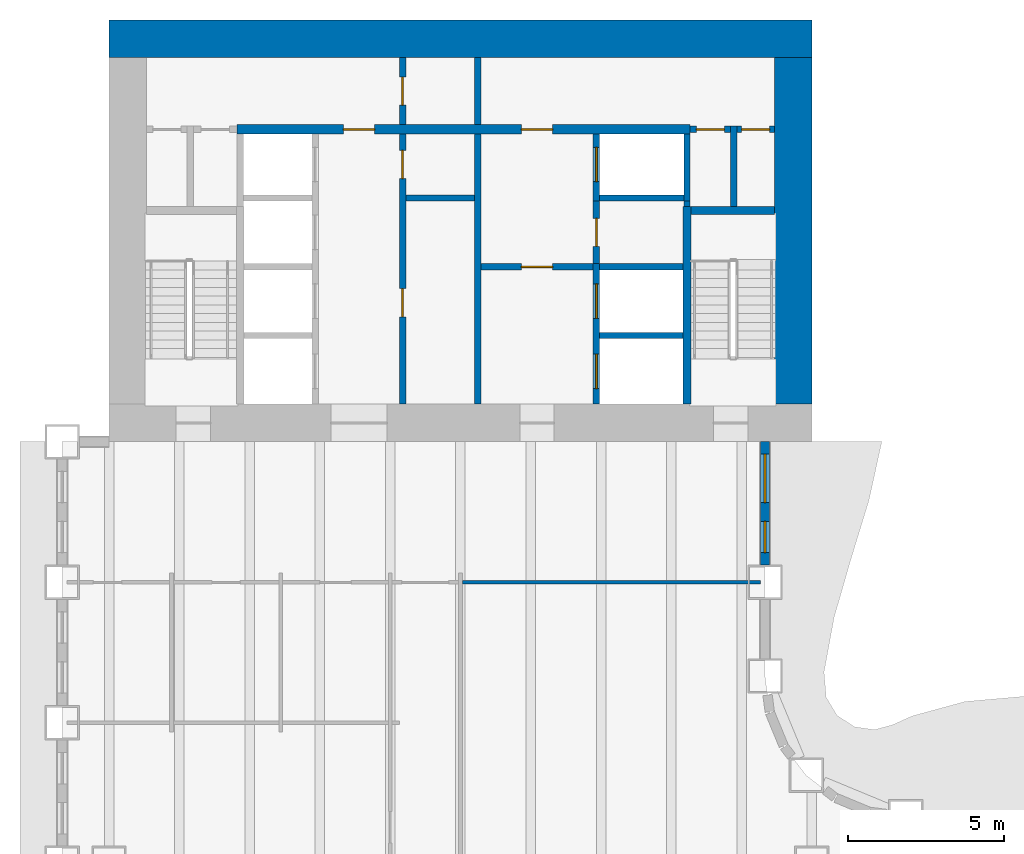
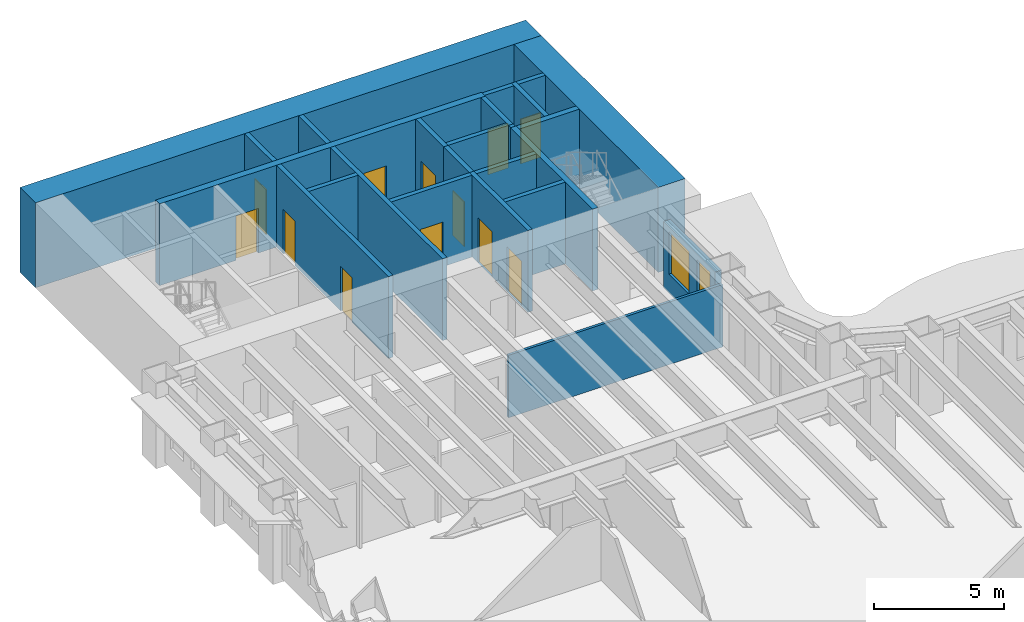
# One storey, part 8 of 16: 24 walls, 12 doors, 2 windows, 14 openings.
"""IFC4 building model written with IfcOpenShell, lengths in metres."""

from ifc_helpers import new_model, si_unit, direction, frame, frame_2d, origin, place, context, subcontext, project, spatial, rectangle, extrude, material, layer, layer_set, type_object, element, fill, save


model = new_model("IFC4")

# Units and contexts
model_context = context("Model", 3, precision=1e-05, world=origin(), true_north=direction((0.0, 1.0)))
body_context = subcontext(model_context, "Body", "Model", "MODEL_VIEW")
ifc_project = project(units=[si_unit("LENGTHUNIT", "METRE"), si_unit("AREAUNIT", "SQUARE_METRE"), si_unit("VOLUMEUNIT", "CUBIC_METRE"), si_unit("PLANEANGLEUNIT", "RADIAN"), si_unit("MASSUNIT", "GRAM", prefix="KILO")], contexts=[model_context])

# Site, building, storey
site_placement = place(None, origin())
site = spatial("IfcSite", under=ifc_project, at=site_placement, CompositionType="ELEMENT")
building_placement = place(site_placement, origin())
building = spatial("IfcBuilding", under=site, at=building_placement, Name="Sennacour Bend Tower", CompositionType="ELEMENT")
storey_placement = place(building_placement, frame((0.0, 0.0, 69.0)))
storey = spatial("IfcBuildingStorey", under=building, at=storey_placement, Name="L15", CompositionType="ELEMENT", Elevation=69.0)

# Walls
ifc_material_1 = material(Name="Concrete C80/95", Category="concrete")
ifc_layer_1 = layer(ifc_material_1, 1.199951171875, Name="Concrete C80/95", Category="concrete")
ifc_layer_set_1 = layer_set([ifc_layer_1], Name="Concrete C80/95")
wall_type_1 = type_object("IfcWallType", Name="Core wall 1200 C80/95", PredefinedType="SHEAR", material=ifc_layer_set_1)
wall_1_placement = place(storey_placement, frame((0.0, 48.89990234375, -0.14990234375), z_axis=(0.0, 0.0, 1.0), x_axis=(1.0, 0.0, 0.0)))
element("IfcWall", 1, at=wall_1_placement, inside=storey, type_object=wall_type_1, Name="Core B wall L15 N", PredefinedType="SHEAR", context=body_context, shape_type="SweptSolid", body=[
    extrude(rectangle(XDim=22.5, YDim=1.199951171875, at=frame_2d((11.25, 0.0))), origin(), (0.0, 0.0, 1.0), 4.0),
])
wall_2_placement = place(storey_placement, frame((21.89990234375, 37.199951171875, -0.14990234375), z_axis=(0.0, 0.0, 1.0), x_axis=(0.0, 1.0, 0.0)))
element("IfcWall", 2, at=wall_2_placement, inside=storey, type_object=wall_type_1, Name="Core B wall L15 E", PredefinedType="SHEAR", context=body_context, shape_type="SweptSolid", body=[
    extrude(rectangle(XDim=11.10009765625, YDim=1.199951171875, at=frame_2d((5.550048828125, 0.0))), origin(), (0.0, 0.0, 1.0), 4.0),
])
ifc_material_2 = material(Name="Plasterboard partition on steel studs", Category="steel")
ifc_layer_2 = layer(ifc_material_2, 0.1201171875, Name="Plasterboard partition on steel studs", Category="steel")
ifc_layer_set_2 = layer_set([ifc_layer_2], Name="Plasterboard partition on steel studs")
wall_type_2 = type_object("IfcWallType", Name="Partition 120", PredefinedType="PARTITIONING", material=ifc_layer_set_2)
wall_3_placement = place(storey_placement, frame((11.31005859375, 31.5, 0.0), z_axis=(0.0, 0.0, 1.0), x_axis=(1.0, 0.0, 0.0)))
element("IfcWall", 3, at=wall_3_placement, inside=storey, type_object=wall_type_2, Name="P-L15-W076ae", PredefinedType="PARTITIONING", context=body_context, shape_type="SweptSolid", body=[
    extrude(rectangle(XDim=9.5400390625, YDim=0.1201171875, at=frame_2d((4.77001953125, 0.0))), origin(), (0.0, 0.0, 1.0), 2.93798828125),
])

# Wall, openings, doors
ifc_material_3 = material(Name="Fire-rated plasterboard partition on steel studs", Category="steel")
ifc_layer_3 = layer(ifc_material_3, 0.199951171875, Name="Fire-rated plasterboard partition on steel studs", Category="steel")
ifc_layer_set_3 = layer_set([ifc_layer_3], Name="Fire-rated plasterboard partition on steel studs")
wall_type_3 = type_object("IfcWallType", Name="Rated partition 200", PredefinedType="PARTITIONING", material=ifc_layer_set_3)
wall_4_placement = place(storey_placement, frame((9.39990234375, 37.199951171875, 0.0), z_axis=(0.0, 0.0, 1.0), x_axis=(0.0, 1.0, 0.0)))
wall_4 = element("IfcWall", 4, at=wall_4_placement, inside=storey, type_object=wall_type_3, Name="P-L15-W012a", PredefinedType="PARTITIONING", context=body_context, shape_type="SweptSolid", body=[
    extrude(rectangle(XDim=8.650146484375, YDim=0.199951171875, at=frame_2d((4.3251953125, 0.0))), origin(), (0.0, 0.0, 1.0), 3.85009765625),
])
opening_1_placement = place(wall_4_placement, frame((2.800048828125, 0.0, 0.0)))
opening_1 = element("IfcOpeningElement", 5, at=opening_1_placement, cuts=wall_4, Name="Opening SV", PredefinedType="OPENING", context=body_context, shape_type="SweptSolid", body=[
    extrude(rectangle(XDim=0.89990234375, YDim=2.10009765625, at=frame_2d((0.449951171875, 1.050048828125))), frame((0.0, 0.10986328125, 0.0), z_axis=(0.0, -1.0, 0.0), x_axis=(1.0, 0.0, 0.0)), (0.0, 0.0, 1.0), 0.219970703125),
])
opening_2_placement = place(wall_4_placement, frame((7.22509765625, 0.0, 0.0)))
opening_2 = element("IfcOpeningElement", 6, at=opening_2_placement, cuts=wall_4, Name="Opening SV", PredefinedType="OPENING", context=body_context, shape_type="SweptSolid", body=[
    extrude(rectangle(XDim=0.89990234375, YDim=2.10009765625, at=frame_2d((0.449951171875, 1.050048828125))), frame((0.0, 0.10986328125, 0.0), z_axis=(0.0, -1.0, 0.0), x_axis=(1.0, 0.0, 0.0)), (0.0, 0.0, 1.0), 0.219970703125),
])
ifc_material_4 = material(Name="Painted steel", Category="steel")
door_type_1 = type_object("IfcDoorType", Name="DR-SERVICE-900", OperationType="NOTDEFINED", PredefinedType="DOOR", material=ifc_material_4)
door_1_placement = place(opening_1_placement, origin())
door_1 = element("IfcDoor", 7, at=door_1_placement, inside=storey, type_object=door_type_1, Name="Door", OperationType="SINGLE_SWING_LEFT", OverallHeight=2.10009765625, OverallWidth=0.89990234375, PredefinedType="DOOR", context=body_context, shape_type="SweptSolid", body=[
    extrude(rectangle(XDim=0.89990234375, YDim=2.10009765625, at=frame_2d((0.449951171875, 1.050048828125))), frame((0.0, 0.02490234375, 0.0), z_axis=(0.0, -1.0, 0.0), x_axis=(1.0, 0.0, 0.0)), (0.0, 0.0, 1.0), 0.050048828125),
])
fill(opening_1, door_1)
door_2_placement = place(opening_2_placement, origin())
door_2 = element("IfcDoor", 8, at=door_2_placement, inside=storey, type_object=door_type_1, Name="Door", OperationType="SINGLE_SWING_RIGHT", OverallHeight=2.10009765625, OverallWidth=0.89990234375, PredefinedType="DOOR", context=body_context, shape_type="SweptSolid", body=[
    extrude(rectangle(XDim=0.89990234375, YDim=2.10009765625, at=frame_2d((0.449951171875, 1.050048828125))), frame((0.0, 0.02490234375, 0.0), z_axis=(0.0, -1.0, 0.0), x_axis=(1.0, 0.0, 0.0)), (0.0, 0.0, 1.0), 0.050048828125),
])
fill(opening_2, door_2)

# Wall, opening, door
wall_5_placement = place(storey_placement, frame((9.39990234375, 46.14990234375, 0.0), z_axis=(0.0, 0.0, 1.0), x_axis=(0.0, 1.0, 0.0)))
wall_5 = element("IfcWall", 9, at=wall_5_placement, inside=storey, type_object=wall_type_3, Name="P-L15-W012b", PredefinedType="PARTITIONING", context=body_context, shape_type="SweptSolid", body=[
    extrude(rectangle(XDim=2.150146484375, YDim=0.199951171875, at=frame_2d((1.0751953125, 0.0))), origin(), (0.0, 0.0, 1.0), 3.85009765625),
])
opening_3_placement = place(wall_5_placement, frame((0.625, 0.0, 0.0)))
opening_3 = element("IfcOpeningElement", 10, at=opening_3_placement, cuts=wall_5, Name="Opening SV", PredefinedType="OPENING", context=body_context, shape_type="SweptSolid", body=[
    extrude(rectangle(XDim=0.89990234375, YDim=2.10009765625, at=frame_2d((0.449951171875, 1.050048828125))), frame((0.0, 0.10986328125, 0.0), z_axis=(0.0, -1.0, 0.0), x_axis=(1.0, 0.0, 0.0)), (0.0, 0.0, 1.0), 0.219970703125),
])
door_3_placement = place(opening_3_placement, origin())
door_3 = element("IfcDoor", 11, at=door_3_placement, inside=storey, type_object=door_type_1, Name="Door", OperationType="SINGLE_SWING_LEFT", OverallHeight=2.10009765625, OverallWidth=0.89990234375, PredefinedType="DOOR", context=body_context, shape_type="SweptSolid", body=[
    extrude(rectangle(XDim=0.89990234375, YDim=2.10009765625, at=frame_2d((0.449951171875, 1.050048828125))), frame((0.0, 0.02490234375, 0.0), z_axis=(0.0, -1.0, 0.0), x_axis=(1.0, 0.0, 0.0)), (0.0, 0.0, 1.0), 0.050048828125),
])
fill(opening_3, door_3)

# Walls
wall_6_placement = place(storey_placement, frame((11.800048828125, 37.199951171875, 0.0), z_axis=(0.0, 0.0, 1.0), x_axis=(0.0, 1.0, 0.0)))
element("IfcWall", 12, at=wall_6_placement, inside=storey, type_object=wall_type_3, Name="P-L15-W015a", PredefinedType="PARTITIONING", context=body_context, shape_type="SweptSolid", body=[
    extrude(rectangle(XDim=8.650146484375, YDim=0.199951171875, at=frame_2d((4.3251953125, 0.0))), origin(), (0.0, 0.0, 1.0), 3.85009765625),
])
wall_7_placement = place(storey_placement, frame((11.800048828125, 46.14990234375, 0.0), z_axis=(0.0, 0.0, 1.0), x_axis=(0.0, 1.0, 0.0)))
element("IfcWall", 13, at=wall_7_placement, inside=storey, type_object=wall_type_3, Name="P-L15-W015b", PredefinedType="PARTITIONING", context=body_context, shape_type="SweptSolid", body=[
    extrude(rectangle(XDim=2.150146484375, YDim=0.199951171875, at=frame_2d((1.0751953125, 0.0))), origin(), (0.0, 0.0, 1.0), 3.85009765625),
])

# Wall, opening, door
wall_8_placement = place(storey_placement, frame((15.60009765625, 41.699951171875, 0.0), z_axis=(0.0, 0.0, 1.0), x_axis=(0.0, 1.0, 0.0)))
wall_8 = element("IfcWall", 14, at=wall_8_placement, inside=storey, type_object=wall_type_3, Name="P-L15-W017", PredefinedType="PARTITIONING", context=body_context, shape_type="SweptSolid", body=[
    extrude(rectangle(XDim=2.0, YDim=0.199951171875, at=frame_2d((1.0, 0.0))), origin(), (0.0, 0.0, 1.0), 3.85009765625),
])
opening_4_placement = place(wall_8_placement, frame((0.550048828125, 0.0, 0.0)))
opening_4 = element("IfcOpeningElement", 15, at=opening_4_placement, cuts=wall_8, Name="Opening SV", PredefinedType="OPENING", context=body_context, shape_type="SweptSolid", body=[
    extrude(rectangle(XDim=0.89990234375, YDim=2.10009765625, at=frame_2d((0.449951171875, 1.050048828125))), frame((0.0, 0.10986328125, 0.0), z_axis=(0.0, -1.0, 0.0), x_axis=(1.0, 0.0, 0.0)), (0.0, 0.0, 1.0), 0.219970703125),
])
door_4_placement = place(opening_4_placement, origin())
door_4 = element("IfcDoor", 16, at=door_4_placement, inside=storey, type_object=door_type_1, Name="Door", OperationType="SINGLE_SWING_RIGHT", OverallHeight=2.10009765625, OverallWidth=0.89990234375, PredefinedType="DOOR", context=body_context, shape_type="SweptSolid", body=[
    extrude(rectangle(XDim=0.89990234375, YDim=2.10009765625, at=frame_2d((0.449951171875, 1.050048828125))), frame((0.0, 0.02490234375, 0.0), z_axis=(0.0, -1.0, 0.0), x_axis=(1.0, 0.0, 0.0)), (0.0, 0.0, 1.0), 0.050048828125),
])
fill(opening_4, door_4)

# Walls
wall_9_placement = place(storey_placement, frame((18.5, 43.52490234375, 0.0), z_axis=(0.0, 0.0, 1.0), x_axis=(0.0, 1.0, 0.0)))
element("IfcWall", 17, at=wall_9_placement, inside=storey, type_object=wall_type_3, Name="P-L15-W021", PredefinedType="PARTITIONING", context=body_context, shape_type="SweptSolid", body=[
    extrude(rectangle(XDim=0.175048828125, YDim=0.199951171875, at=frame_2d((0.08740234375, 0.0))), origin(), (0.0, 0.0, 1.0), 3.85009765625),
])
wall_10_placement = place(storey_placement, frame((20.0, 43.52490234375, 0.0), z_axis=(0.0, 0.0, 1.0), x_axis=(0.0, 1.0, 0.0)))
element("IfcWall", 18, at=wall_10_placement, inside=storey, type_object=wall_type_3, Name="P-L15-W023", PredefinedType="PARTITIONING", context=body_context, shape_type="SweptSolid", body=[
    extrude(rectangle(XDim=2.5751953125, YDim=0.199951171875, at=frame_2d((1.28759765625, 0.0))), origin(), (0.0, 0.0, 1.0), 3.85009765625),
])
wall_11_placement = place(storey_placement, frame((9.5, 43.800048828125, 0.0), z_axis=(0.0, 0.0, 1.0), x_axis=(1.0, 0.0, 0.0)))
element("IfcWall", 19, at=wall_11_placement, inside=storey, type_object=wall_type_3, Name="P-L15-W086", PredefinedType="PARTITIONING", context=body_context, shape_type="SweptSolid", body=[
    extrude(rectangle(XDim=2.199951171875, YDim=0.199951171875, at=frame_2d((1.10009765625, 0.0))), origin(), (0.0, 0.0, 1.0), 3.85009765625),
])

# Wall, opening, door
wall_12_placement = place(storey_placement, frame((18.60009765625, 46.0, 0.0), z_axis=(0.0, 0.0, 1.0), x_axis=(1.0, 0.0, 0.0)))
wall_12 = element("IfcWall", 20, at=wall_12_placement, inside=storey, type_object=wall_type_3, Name="P-L15-W090a", PredefinedType="PARTITIONING", context=body_context, shape_type="SweptSolid", body=[
    extrude(rectangle(XDim=1.2998046875, YDim=0.199951171875, at=frame_2d((0.64990234375, 0.0))), origin(), (0.0, 0.0, 1.0), 3.85009765625),
])
opening_5_placement = place(wall_12_placement, frame((0.199951171875, 0.0, 0.0)))
opening_5 = element("IfcOpeningElement", 21, at=opening_5_placement, cuts=wall_12, Name="Opening SV", PredefinedType="OPENING", context=body_context, shape_type="SweptSolid", body=[
    extrude(rectangle(XDim=0.89990234375, YDim=2.10009765625, at=frame_2d((0.449951171875, 1.050048828125))), frame((0.0, 0.10986328125, 0.0), z_axis=(0.0, -1.0, 0.0), x_axis=(1.0, 0.0, 0.0)), (0.0, 0.0, 1.0), 0.219970703125),
])
door_5_placement = place(opening_5_placement, origin())
door_5 = element("IfcDoor", 22, at=door_5_placement, inside=storey, type_object=door_type_1, Name="Door", OperationType="SINGLE_SWING_LEFT", OverallHeight=2.10009765625, OverallWidth=0.89990234375, PredefinedType="DOOR", context=body_context, shape_type="SweptSolid", body=[
    extrude(rectangle(XDim=0.89990234375, YDim=2.10009765625, at=frame_2d((0.449951171875, 1.050048828125))), frame((0.0, 0.02490234375, 0.0), z_axis=(0.0, -1.0, 0.0), x_axis=(1.0, 0.0, 0.0)), (0.0, 0.0, 1.0), 0.050048828125),
])
fill(opening_5, door_5)

wall_13_placement = place(storey_placement, frame((20.10009765625, 46.0, 0.0), z_axis=(0.0, 0.0, 1.0), x_axis=(1.0, 0.0, 0.0)))
wall_13 = element("IfcWall", 23, at=wall_13_placement, inside=storey, type_object=wall_type_3, Name="P-L15-W090b", PredefinedType="PARTITIONING", context=body_context, shape_type="SweptSolid", body=[
    extrude(rectangle(XDim=1.199951171875, YDim=0.199951171875, at=frame_2d((0.60009765625, 0.0))), origin(), (0.0, 0.0, 1.0), 3.85009765625),
])
opening_6_placement = place(wall_13_placement, frame((0.14990234375, 0.0, 0.0)))
opening_6 = element("IfcOpeningElement", 24, at=opening_6_placement, cuts=wall_13, Name="Opening SV", PredefinedType="OPENING", context=body_context, shape_type="SweptSolid", body=[
    extrude(rectangle(XDim=0.89990234375, YDim=2.10009765625, at=frame_2d((0.449951171875, 1.050048828125))), frame((0.0, 0.10986328125, 0.0), z_axis=(0.0, -1.0, 0.0), x_axis=(1.0, 0.0, 0.0)), (0.0, 0.0, 1.0), 0.219970703125),
])
door_6_placement = place(opening_6_placement, origin())
door_6 = element("IfcDoor", 25, at=door_6_placement, inside=storey, type_object=door_type_1, Name="Door", OperationType="SINGLE_SWING_LEFT", OverallHeight=2.10009765625, OverallWidth=0.89990234375, PredefinedType="DOOR", context=body_context, shape_type="SweptSolid", body=[
    extrude(rectangle(XDim=0.89990234375, YDim=2.10009765625, at=frame_2d((0.449951171875, 1.050048828125))), frame((0.0, 0.02490234375, 0.0), z_axis=(0.0, -1.0, 0.0), x_axis=(1.0, 0.0, 0.0)), (0.0, 0.0, 1.0), 0.050048828125),
])
fill(opening_6, door_6)

ifc_layer_4 = layer(ifc_material_3, 0.199951171875, Name="Fire-rated plasterboard partition on steel studs", Category="steel")
ifc_layer_set_4 = layer_set([ifc_layer_4], Name="Fire-rated plasterboard partition on steel studs")
wall_type_4 = type_object("IfcWallType", Name="Rated partition 200 EI 90", PredefinedType="PARTITIONING", material=ifc_layer_set_4)
wall_14_placement = place(storey_placement, frame((11.89990234375, 41.60009765625, 0.0), z_axis=(0.0, 0.0, 1.0), x_axis=(1.0, 0.0, 0.0)))
wall_14 = element("IfcWall", 26, at=wall_14_placement, inside=storey, type_object=wall_type_4, Name="P-L15-W081", PredefinedType="PARTITIONING", context=body_context, shape_type="SweptSolid", body=[
    extrude(rectangle(XDim=3.60009765625, YDim=0.199951171875, at=frame_2d((1.800048828125, 0.0))), origin(), (0.0, 0.0, 1.0), 3.85009765625),
])
opening_7_placement = place(wall_14_placement, frame((1.300048828125, 0.0, 0.0)))
opening_7 = element("IfcOpeningElement", 27, at=opening_7_placement, cuts=wall_14, Name="Opening FD2", PredefinedType="OPENING", context=body_context, shape_type="SweptSolid", body=[
    extrude(rectangle(XDim=1.0, YDim=2.10009765625, at=frame_2d((0.5, 1.050048828125))), frame((0.0, 0.10986328125, 0.0), z_axis=(0.0, -1.0, 0.0), x_axis=(1.0, 0.0, 0.0)), (0.0, 0.0, 1.0), 0.219970703125),
])
door_type_2 = type_object("IfcDoorType", Name="DR-FFL-1000", OperationType="NOTDEFINED", PredefinedType="DOOR", material=ifc_material_4)
door_7_placement = place(opening_7_placement, origin())
door_7 = element("IfcDoor", 28, at=door_7_placement, inside=storey, type_object=door_type_2, Name="Door", OperationType="SINGLE_SWING_LEFT", OverallHeight=2.10009765625, OverallWidth=1.0, PredefinedType="DOOR", context=body_context, shape_type="SweptSolid", body=[
    extrude(rectangle(XDim=1.0, YDim=2.10009765625, at=frame_2d((0.5, 1.050048828125))), frame((0.0, 0.02490234375, 0.0), z_axis=(0.0, -1.0, 0.0), x_axis=(1.0, 0.0, 0.0)), (0.0, 0.0, 1.0), 0.050048828125),
])
fill(opening_7, door_7)

# Wall, openings, windows
ifc_material_5 = material(Name="Warm limestone cladding", Category="masonry")
ifc_layer_5 = layer(ifc_material_5, 0.050048828125, Name="Warm limestone cladding", Category="masonry")
ifc_material_6 = material(Name="Precast concrete C40/50", Category="concrete")
ifc_layer_6 = layer(ifc_material_6, 0.25, Name="Precast concrete C40/50", Category="concrete")
ifc_layer_set_5 = layer_set([ifc_layer_5, ifc_layer_6], Name="Precast concrete C40/50 with limestone cladding")
wall_type_5 = type_object("IfcWallType", Name="STONE-CLAD PRECAST SPANDREL 300", PredefinedType="STANDARD", material=ifc_layer_set_5)
wall_15_placement = place(storey_placement, frame((21.0, 32.050048828125, 0.0), z_axis=(0.0, 0.0, 1.0), x_axis=(0.0, 1.0, 0.0)))
wall_15 = element("IfcWall", 29, at=wall_15_placement, inside=storey, type_object=wall_type_5, Name="Stone spandrel and pier wall L15 15.01", PredefinedType="STANDARD", context=body_context, shape_type="SweptSolid", body=[
    extrude(rectangle(XDim=3.949951171875, YDim=0.300048828125, at=frame_2d((1.97509765625, 0.0))), origin(), (0.0, 0.0, 1.0), 3.14404296875),
])
opening_8_placement = place(wall_15_placement, frame((0.39990234375, 0.0, 0.89990234375)))
opening_8 = element("IfcOpeningElement", 30, at=opening_8_placement, cuts=wall_15, Name="Opening W8", PredefinedType="OPENING", context=body_context, shape_type="SweptSolid", body=[
    extrude(rectangle(XDim=1.0, YDim=2.0, at=frame_2d((0.5, 1.0))), frame((0.0, 0.16015625, 0.0), z_axis=(0.0, -1.0, 0.0), x_axis=(1.0, 0.0, 0.0)), (0.0, 0.0, 1.0), 0.320068359375),
])
opening_9_placement = place(wall_15_placement, frame((2.0, 0.0, 0.89990234375)))
opening_9 = element("IfcOpeningElement", 31, at=opening_9_placement, cuts=wall_15, Name="Opening W9", PredefinedType="OPENING", context=body_context, shape_type="SweptSolid", body=[
    extrude(rectangle(XDim=1.550048828125, YDim=2.0, at=frame_2d((0.77490234375, 1.0))), frame((0.0, 0.16015625, 0.0), z_axis=(0.0, -1.0, 0.0), x_axis=(1.0, 0.0, 0.0)), (0.0, 0.0, 1.0), 0.320068359375),
])
ifc_material_7 = material(Name="Clear low-emissivity glass", Category="glass")
window_type_1 = type_object("IfcWindowType", Name="WIN-RIBBON-1000x2000", PartitioningType="SINGLE_PANEL", PredefinedType="WINDOW", material=ifc_material_7)
window_1_placement = place(opening_8_placement, origin())
window_1 = element("IfcWindow", 32, at=window_1_placement, inside=storey, type_object=window_type_1, Name="Ribbon window L15 15.01.0", OverallHeight=2.0, OverallWidth=1.0, PartitioningType="SINGLE_PANEL", PredefinedType="WINDOW", context=body_context, shape_type="SweptSolid", body=[
    extrude(rectangle(XDim=1.0, YDim=2.0, at=frame_2d((0.5, 1.0))), frame((0.0, 0.030029296875, 0.0), z_axis=(0.0, -1.0, 0.0), x_axis=(1.0, 0.0, 0.0)), (0.0, 0.0, 1.0), 0.06005859375),
])
fill(opening_8, window_1)
window_type_2 = type_object("IfcWindowType", Name="WIN-RIBBON-1550x2000", PartitioningType="SINGLE_PANEL", PredefinedType="WINDOW", material=ifc_material_7)
window_2_placement = place(opening_9_placement, origin())
window_2 = element("IfcWindow", 33, at=window_2_placement, inside=storey, type_object=window_type_2, Name="Ribbon window L15 15.01.1", OverallHeight=2.0, OverallWidth=1.550048828125, PartitioningType="SINGLE_PANEL", PredefinedType="WINDOW", context=body_context, shape_type="SweptSolid", body=[
    extrude(rectangle(XDim=1.550048828125, YDim=2.0, at=frame_2d((0.77490234375, 1.0))), frame((0.0, 0.030029296875, 0.0), z_axis=(0.0, -1.0, 0.0), x_axis=(1.0, 0.0, 0.0)), (0.0, 0.0, 1.0), 0.06005859375),
])
fill(opening_9, window_2)

# Wall, openings, doors
ifc_material_8 = material(Name="Concrete C50/60", Category="concrete")
ifc_layer_7 = layer(ifc_material_8, 0.199951171875, Name="Concrete C50/60", Category="concrete")
ifc_layer_set_6 = layer_set([ifc_layer_7], Name="Concrete C50/60")
wall_type_6 = type_object("IfcWallType", Name="Shaft wall 200", PredefinedType="SOLIDWALL", material=ifc_layer_set_6)
wall_16_placement = place(storey_placement, frame((15.60009765625, 37.199951171875, 0.0), z_axis=(0.0, 0.0, 1.0), x_axis=(0.0, 1.0, 0.0)))
wall_16 = element("IfcWall", 34, at=wall_16_placement, inside=storey, type_object=wall_type_6, Name="P-L15-W016", PredefinedType="SOLIDWALL", context=body_context, shape_type="SweptSolid", body=[
    extrude(rectangle(XDim=4.5, YDim=0.199951171875, at=frame_2d((2.25, 0.0))), origin(), (0.0, 0.0, 1.0), 3.85009765625),
])
opening_10_placement = place(wall_16_placement, frame((0.5, 0.0, 0.011962890625)))
opening_10 = element("IfcOpeningElement", 35, at=opening_10_placement, cuts=wall_16, Name="Opening FLD", PredefinedType="OPENING", context=body_context, shape_type="SweptSolid", body=[
    extrude(rectangle(XDim=1.10009765625, YDim=2.10009765625, at=frame_2d((0.550048828125, 1.050048828125))), frame((0.0, 0.10986328125, 0.0), z_axis=(0.0, -1.0, 0.0), x_axis=(1.0, 0.0, 0.0)), (0.0, 0.0, 1.0), 0.219970703125),
])
opening_11_placement = place(wall_16_placement, frame((2.75, 0.0, 0.011962890625)))
opening_11 = element("IfcOpeningElement", 36, at=opening_11_placement, cuts=wall_16, Name="Opening FLD", PredefinedType="OPENING", context=body_context, shape_type="SweptSolid", body=[
    extrude(rectangle(XDim=1.10009765625, YDim=2.10009765625, at=frame_2d((0.550048828125, 1.050048828125))), frame((0.0, 0.10986328125, 0.0), z_axis=(0.0, -1.0, 0.0), x_axis=(1.0, 0.0, 0.0)), (0.0, 0.0, 1.0), 0.219970703125),
])
ifc_material_9 = material(Name="Stainless steel", Category="steel")
door_type_3 = type_object("IfcDoorType", Name="DR-FF-LANDING-1100", OperationType="NOTDEFINED", PredefinedType="DOOR", material=ifc_material_9)
door_8_placement = place(opening_10_placement, origin())
door_8 = element("IfcDoor", 37, at=door_8_placement, inside=storey, type_object=door_type_3, Name="Fire service lift landing door FB1", OperationType="SLIDING_TO_LEFT", OverallHeight=2.10009765625, OverallWidth=1.10009765625, PredefinedType="DOOR", context=body_context, shape_type="SweptSolid", body=[
    extrude(rectangle(XDim=1.10009765625, YDim=2.10009765625, at=frame_2d((0.550048828125, 1.050048828125))), frame((0.0, 0.02490234375, 0.0), z_axis=(0.0, -1.0, 0.0), x_axis=(1.0, 0.0, 0.0)), (0.0, 0.0, 1.0), 0.050048828125),
])
fill(opening_10, door_8)
door_9_placement = place(opening_11_placement, origin())
door_9 = element("IfcDoor", 38, at=door_9_placement, inside=storey, type_object=door_type_3, Name="Fire service lift landing door FB2", OperationType="SLIDING_TO_RIGHT", OverallHeight=2.10009765625, OverallWidth=1.10009765625, PredefinedType="DOOR", context=body_context, shape_type="SweptSolid", body=[
    extrude(rectangle(XDim=1.10009765625, YDim=2.10009765625, at=frame_2d((0.550048828125, 1.050048828125))), frame((0.0, 0.02490234375, 0.0), z_axis=(0.0, -1.0, 0.0), x_axis=(1.0, 0.0, 0.0)), (0.0, 0.0, 1.0), 0.050048828125),
])
fill(opening_11, door_9)

# Wall, opening, door
wall_17_placement = place(storey_placement, frame((15.60009765625, 43.699951171875, 0.0), z_axis=(0.0, 0.0, 1.0), x_axis=(0.0, 1.0, 0.0)))
wall_17 = element("IfcWall", 39, at=wall_17_placement, inside=storey, type_object=wall_type_6, Name="P-L15-W018", PredefinedType="SOLIDWALL", context=body_context, shape_type="SweptSolid", body=[
    extrude(rectangle(XDim=2.150146484375, YDim=0.199951171875, at=frame_2d((1.0751953125, 0.0))), origin(), (0.0, 0.0, 1.0), 3.85009765625),
])
opening_12_placement = place(wall_17_placement, frame((0.625, 0.0, 0.011962890625)))
opening_12 = element("IfcOpeningElement", 40, at=opening_12_placement, cuts=wall_17, Name="Opening LD", PredefinedType="OPENING", context=body_context, shape_type="SweptSolid", body=[
    extrude(rectangle(XDim=1.10009765625, YDim=2.10009765625, at=frame_2d((0.550048828125, 1.050048828125))), frame((0.0, 0.10986328125, 0.0), z_axis=(0.0, -1.0, 0.0), x_axis=(1.0, 0.0, 0.0)), (0.0, 0.0, 1.0), 0.219970703125),
])
door_type_4 = type_object("IfcDoorType", Name="DR-LANDING-1100", OperationType="NOTDEFINED", PredefinedType="DOOR", material=ifc_material_9)
door_10_placement = place(opening_12_placement, origin())
door_10 = element("IfcDoor", 41, at=door_10_placement, inside=storey, type_object=door_type_4, Name="Lift landing door LB5", OperationType="SLIDING_TO_LEFT", OverallHeight=2.10009765625, OverallWidth=1.10009765625, PredefinedType="DOOR", context=body_context, shape_type="SweptSolid", body=[
    extrude(rectangle(XDim=1.10009765625, YDim=2.10009765625, at=frame_2d((0.550048828125, 1.050048828125))), frame((0.0, 0.02490234375, 0.0), z_axis=(0.0, -1.0, 0.0), x_axis=(1.0, 0.0, 0.0)), (0.0, 0.0, 1.0), 0.050048828125),
])
fill(opening_12, door_10)

# Walls
wall_18_placement = place(storey_placement, frame((18.5, 43.699951171875, 0.0), z_axis=(0.0, 0.0, 1.0), x_axis=(0.0, 1.0, 0.0)))
element("IfcWall", 42, at=wall_18_placement, inside=storey, type_object=wall_type_6, Name="P-L15-W022", PredefinedType="SOLIDWALL", context=body_context, shape_type="SweptSolid", body=[
    extrude(rectangle(XDim=2.150146484375, YDim=0.199951171875, at=frame_2d((1.0751953125, 0.0))), origin(), (0.0, 0.0, 1.0), 3.85009765625),
])
for number, where, z_axis, x_axis, name in (
    (43, (15.699951171875, 39.39990234375, 0.0), (0.0, 0.0, 1.0), (1.0, 0.0, 0.0), "P-L15-W079"),
    (44, (15.699951171875, 41.60009765625, 0.0), (0.0, 0.0, 1.0), (1.0, 0.0, 0.0), "P-L15-W082"),
):
    element("IfcWall", number, at=place(storey_placement, frame(where, z_axis=z_axis, x_axis=x_axis)), inside=storey, type_object=wall_type_6, Name=name, PredefinedType="SOLIDWALL", context=body_context, shape_type="SweptSolid", body=[
        extrude(rectangle(XDim=2.675048828125, YDim=0.199951171875, at=frame_2d((1.33740234375, 0.0))), origin(), (0.0, 0.0, 1.0), 3.85009765625),
    ])
wall_19_placement = place(storey_placement, frame((15.699951171875, 43.800048828125, 0.0), z_axis=(0.0, 0.0, 1.0), x_axis=(1.0, 0.0, 0.0)))
element("IfcWall", 45, at=wall_19_placement, inside=storey, type_object=wall_type_6, Name="P-L15-W087", PredefinedType="SOLIDWALL", context=body_context, shape_type="SweptSolid", body=[
    extrude(rectangle(XDim=2.699951171875, YDim=0.199951171875, at=frame_2d((1.35009765625, 0.0))), origin(), (0.0, 0.0, 1.0), 3.85009765625),
])

# Wall, openings, doors
ifc_material_10 = material(Name="Concrete C60/75", Category="concrete")
ifc_layer_8 = layer(ifc_material_10, 0.300048828125, Name="Concrete C60/75", Category="concrete")
ifc_layer_set_7 = layer_set([ifc_layer_8], Name="Concrete C60/75")
wall_type_7 = type_object("IfcWallType", Name="Spine wall 300", PredefinedType="SHEAR", material=ifc_layer_set_7)
wall_20_placement = place(storey_placement, frame((4.10009765625, 46.0, 0.0), z_axis=(0.0, 0.0, 1.0), x_axis=(1.0, 0.0, 0.0)))
wall_20 = element("IfcWall", 46, at=wall_20_placement, inside=storey, type_object=wall_type_7, Name="P-L15-W089", PredefinedType="SHEAR", context=body_context, shape_type="SweptSolid", body=[
    extrude(rectangle(XDim=14.5, YDim=0.300048828125, at=frame_2d((7.25, 0.0))), origin(), (0.0, 0.0, 1.0), 3.85009765625),
])
opening_13_placement = place(wall_20_placement, frame((3.39990234375, 0.0, 0.0)))
opening_13 = element("IfcOpeningElement", 47, at=opening_13_placement, cuts=wall_20, Name="Opening CD2", PredefinedType="OPENING", context=body_context, shape_type="SweptSolid", body=[
    extrude(rectangle(XDim=1.0, YDim=2.10009765625, at=frame_2d((0.5, 1.050048828125))), frame((0.0, 0.16015625, 0.0), z_axis=(0.0, -1.0, 0.0), x_axis=(1.0, 0.0, 0.0)), (0.0, 0.0, 1.0), 0.320068359375),
])
opening_14_placement = place(wall_20_placement, frame((9.099853515625, 0.0, 0.0)))
opening_14 = element("IfcOpeningElement", 48, at=opening_14_placement, cuts=wall_20, Name="Opening CD2", PredefinedType="OPENING", context=body_context, shape_type="SweptSolid", body=[
    extrude(rectangle(XDim=1.0, YDim=2.10009765625, at=frame_2d((0.5, 1.050048828125))), frame((0.0, 0.16015625, 0.0), z_axis=(0.0, -1.0, 0.0), x_axis=(1.0, 0.0, 0.0)), (0.0, 0.0, 1.0), 0.320068359375),
])
door_type_5 = type_object("IfcDoorType", Name="DR-LOBBY-1000", OperationType="NOTDEFINED", PredefinedType="DOOR", material=ifc_material_4)
door_11_placement = place(opening_13_placement, origin())
door_11 = element("IfcDoor", 49, at=door_11_placement, inside=storey, type_object=door_type_5, Name="Door", OperationType="SINGLE_SWING_LEFT", OverallHeight=2.10009765625, OverallWidth=1.0, PredefinedType="DOOR", context=body_context, shape_type="SweptSolid", body=[
    extrude(rectangle(XDim=1.0, YDim=2.10009765625, at=frame_2d((0.5, 1.050048828125))), frame((0.0, 0.02490234375, 0.0), z_axis=(0.0, -1.0, 0.0), x_axis=(1.0, 0.0, 0.0)), (0.0, 0.0, 1.0), 0.050048828125),
])
fill(opening_13, door_11)
door_12_placement = place(opening_14_placement, origin())
door_12 = element("IfcDoor", 50, at=door_12_placement, inside=storey, type_object=door_type_5, Name="Door", OperationType="SINGLE_SWING_RIGHT", OverallHeight=2.10009765625, OverallWidth=1.0, PredefinedType="DOOR", context=body_context, shape_type="SweptSolid", body=[
    extrude(rectangle(XDim=1.0, YDim=2.10009765625, at=frame_2d((0.5, 1.050048828125))), frame((0.0, 0.02490234375, 0.0), z_axis=(0.0, -1.0, 0.0), x_axis=(1.0, 0.0, 0.0)), (0.0, 0.0, 1.0), 0.050048828125),
])
fill(opening_14, door_12)

# Walls
ifc_layer_9 = layer(ifc_material_10, 0.25, Name="Concrete C60/75", Category="concrete")
ifc_layer_set_8 = layer_set([ifc_layer_9], Name="Concrete C60/75")
wall_type_8 = type_object("IfcWallType", Name="Stair wall 250", PredefinedType="SHEAR", material=ifc_layer_set_8)
wall_21_placement = place(storey_placement, frame((18.5, 37.199951171875, 0.0), z_axis=(0.0, 0.0, 1.0), x_axis=(0.0, 1.0, 0.0)))
element("IfcWall", 51, at=wall_21_placement, inside=storey, type_object=wall_type_8, Name="P-L15-W020", PredefinedType="SHEAR", context=body_context, shape_type="SweptSolid", body=[
    extrude(rectangle(XDim=6.324951171875, YDim=0.25, at=frame_2d((3.16259765625, 0.0))), origin(), (0.0, 0.0, 1.0), 3.85009765625),
])
wall_22_placement = place(storey_placement, frame((18.625, 43.39990234375, 0.0), z_axis=(0.0, 0.0, 1.0), x_axis=(1.0, 0.0, 0.0)))
element("IfcWall", 52, at=wall_22_placement, inside=storey, type_object=wall_type_8, Name="P-L15-W084", PredefinedType="SHEAR", context=body_context, shape_type="SweptSolid", body=[
    extrude(rectangle(XDim=2.675048828125, YDim=0.25, at=frame_2d((1.33740234375, 0.0))), origin(), (0.0, 0.0, 1.0), 3.85009765625),
])

save(model, "model.ifc")
